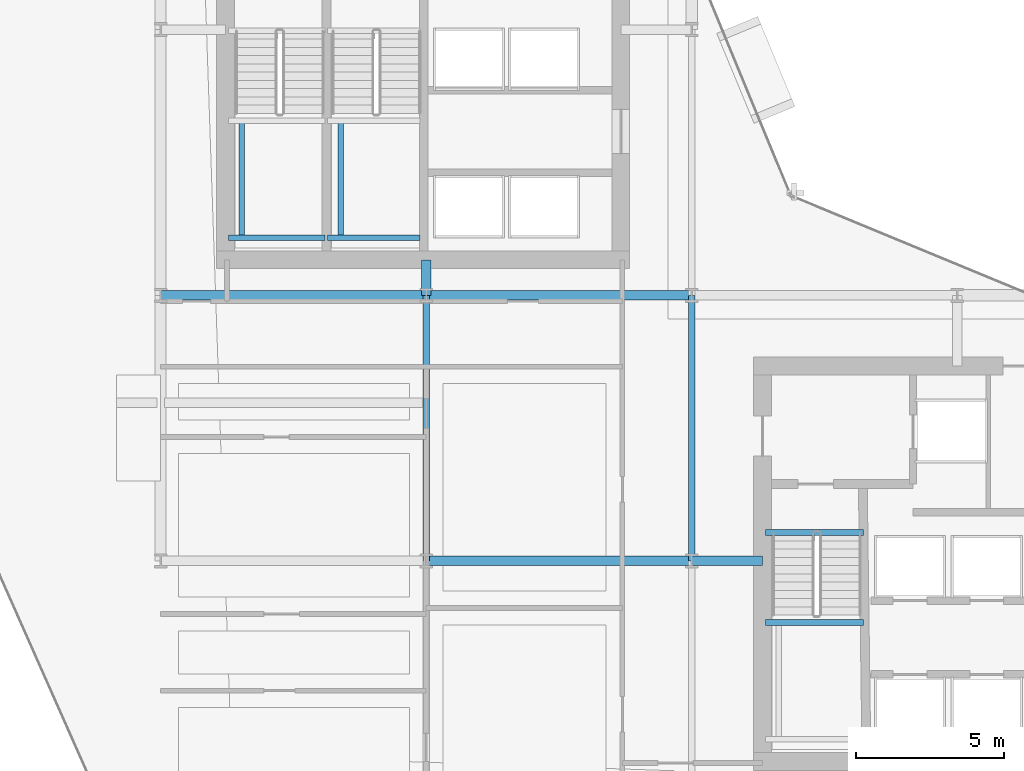
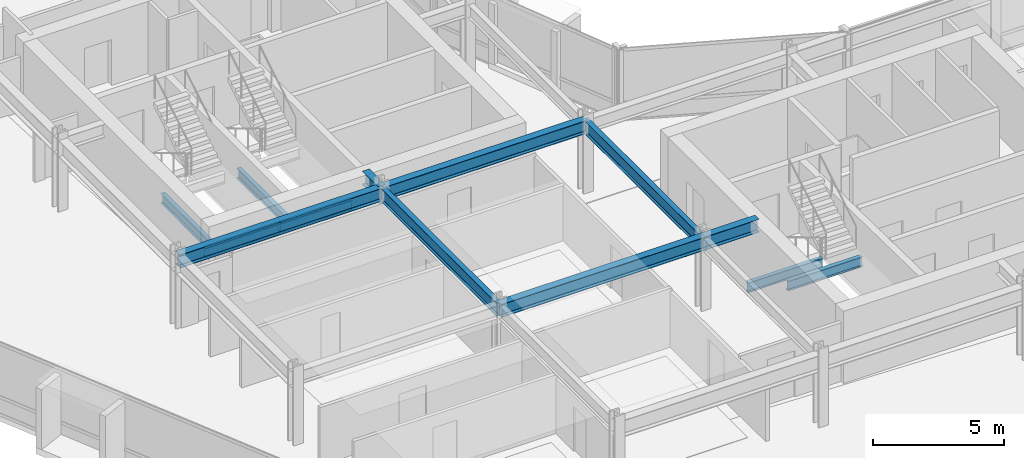
# One storey, part 7 of 34: 13 beams.
"""IFC4 building model written with IfcOpenShell, lengths in metres."""

import ifcopenshell
import ifcopenshell.guid

model = None  # the IFC model being written
_history = None  # IfcOwnerHistory: only IFC2X3 demands one
_inside = {}  # id of a spatial element -> (the spatial element, [elements in it])
_under = {}  # id of a project, library or spatial element -> (it, [spatial elements below it])
_declared = {}  # id of a project -> (the project, [libraries it declares])
_typed = {}  # id of a type object -> (the type object, [elements of that type])
_made_of = {}  # id of a material, layer set ... -> (it, [elements and type objects made of it])


def new_model(schema):
    """Start an empty IFC model of exactly this schema.

    Asked for "IFC4X3", IfcOpenShell would pick the latest addendum, in which some entities
    have other attributes; the version numbers below select the first issue.
    IFC2X3 requires an IfcOwnerHistory on every rooted entity: one is made here for all.
    """
    global model, _history
    if schema == "IFC4X3":
        model = ifcopenshell.file(schema_version=(4, 3, 0, 0))
    else:
        model = ifcopenshell.file(schema=schema)
    _inside.clear()
    _under.clear()
    _declared.clear()
    _typed.clear()
    _made_of.clear()
    _history = None
    if model.schema == "IFC2X3":
        org = make("IfcOrganization", Name="unknown")
        user = make(
            "IfcPersonAndOrganization",
            ThePerson=make("IfcPerson", FamilyName="unknown"),
            TheOrganization=org,
        )
        app = make(
            "IfcApplication",
            ApplicationDeveloper=org,
            Version="unknown",
            ApplicationFullName="unknown",
            ApplicationIdentifier="unknown",
        )
        _history = make(
            "IfcOwnerHistory",
            OwningUser=user,
            OwningApplication=app,
            ChangeAction="ADDED",
            CreationDate=0,
        )
    return model


def make(cls, **values):
    """One entity of the class cls with the attributes given. An attribute that is None is left unset."""
    return model.create_entity(
        cls, **{name: value for name, value in values.items() if value is not None}
    )


def rooted(cls, **values):
    """An entity with a GlobalId (a new one), such as an element, a storey or a relation."""
    return make(cls, GlobalId=ifcopenshell.guid.new(), OwnerHistory=_history, **values)


def si_unit(unit_type, name, prefix=None):
    """IfcSIUnit, for example si_unit("LENGTHUNIT", "METRE", prefix="MILLI")."""
    return make("IfcSIUnit", UnitType=unit_type, Prefix=prefix, Name=name)


def assignment(units):
    """IfcUnitAssignment: the units of a project."""
    return None if units is None else make("IfcUnitAssignment", Units=units)


def point(xyz):
    """IfcCartesianPoint."""
    return None if xyz is None else make("IfcCartesianPoint", Coordinates=xyz)


def direction(xyz):
    """IfcDirection."""
    return None if xyz is None else make("IfcDirection", DirectionRatios=xyz)


def frame(location, z_axis=None, x_axis=None):
    """IfcAxis2Placement3D, a coordinate frame: its origin and axes. An axis left out is left unset."""
    return make(
        "IfcAxis2Placement3D",
        Location=point(location),
        Axis=direction(z_axis),
        RefDirection=direction(x_axis),
    )


def frame_2d(location, x_axis=None):
    """IfcAxis2Placement2D, a coordinate frame in the plane: its origin and x axis."""
    return make(
        "IfcAxis2Placement2D", Location=point(location), RefDirection=direction(x_axis)
    )


def origin():
    """The frame at (0, 0, 0) with its axes left unset."""
    return frame((0.0, 0.0, 0.0))


def origin_2d():
    """The frame at (0, 0) in the plane with its x axis left unset."""
    return frame_2d((0.0, 0.0))


def place(relative_to, where):
    """IfcLocalPlacement: puts the frame where relative to a parent placement (None: the world)."""
    return make(
        "IfcLocalPlacement", PlacementRelTo=relative_to, RelativePlacement=where
    )


def context(
    kind, dimensions, precision=None, world=None, true_north=None, identifier=None
):
    """IfcGeometricRepresentationContext, for example the 3D "Model" context."""
    return make(
        "IfcGeometricRepresentationContext",
        ContextIdentifier=identifier,
        ContextType=kind,
        CoordinateSpaceDimension=dimensions,
        Precision=precision,
        WorldCoordinateSystem=world,
        TrueNorth=true_north,
    )


def subcontext(parent, identifier, kind, view, scale=None):
    """IfcGeometricRepresentationSubContext, for example "Body" below "Model"."""
    return make(
        "IfcGeometricRepresentationSubContext",
        ContextIdentifier=identifier,
        ContextType=kind,
        ParentContext=parent,
        TargetScale=scale,
        TargetView=view,
    )


def project(units=None, contexts=None):
    """IfcProject with its units and contexts."""
    return rooted(
        "IfcProject",
        Name="project",
        RepresentationContexts=contexts,
        UnitsInContext=assignment(units),
    )


def spatial(cls, under=None, at=None, **own):
    """A site, building, storey or space (cls), placed at a placement, below another one or the project."""
    s = rooted(cls, ObjectPlacement=at, **own)
    if under is not None:
        _under.setdefault(under.id(), (under, []))[1].append(s)
    return s


def profile(cls, at=None, kind="AREA", **sizes):
    """A parametric profile (cls). Its sizes go by their IFC names, for example OverallWidth=200.0."""
    return make(cls, ProfileType=kind, Position=at, **sizes)


def i_section(**sizes):
    """IfcIShapeProfileDef."""
    return profile("IfcIShapeProfileDef", **sizes)


def extrude(swept, where, along, depth):
    """IfcExtrudedAreaSolid: the profile swept, set in the frame where, extruded along a direction by depth."""
    return make(
        "IfcExtrudedAreaSolid",
        SweptArea=swept,
        Position=where,
        ExtrudedDirection=direction(along),
        Depth=depth,
    )


def shape(context_of_items, identifier, shape_type, items):
    """IfcShapeRepresentation: the items that make up one representation, for example the "Body"."""
    return make(
        "IfcShapeRepresentation",
        ContextOfItems=context_of_items,
        RepresentationIdentifier=identifier,
        RepresentationType=shape_type,
        Items=items,
    )


def material(Name=None, Category=None):
    """IfcMaterial."""
    return make("IfcMaterial", Name=Name, Category=Category)


def material_profile(
    of_material, cross_section, Name=None, Category=None, Priority=None
):
    """IfcMaterialProfile: a cross section and its material."""
    return make(
        "IfcMaterialProfile",
        Name=Name,
        Material=of_material,
        Profile=cross_section,
        Priority=Priority,
        Category=Category,
    )


def profile_set(profiles, Name=None, composite=None):
    """IfcMaterialProfileSet."""
    return make(
        "IfcMaterialProfileSet",
        Name=Name,
        MaterialProfiles=profiles,
        CompositeProfile=composite,
    )


def made_of(thing, what):
    """Note that an element or type object is made of a material, layer set ...; save() writes the relation."""
    if what is not None:
        _made_of.setdefault(what.id(), (what, []))[1].append(thing)
    return thing


def type_object(cls, material=None, **own):
    """A type object (cls), such as IfcWallType, which elements share."""
    return made_of(rooted(cls, **own), material)


def element(
    cls,
    number,
    at=None,
    inside=None,
    cuts=None,
    type_object=None,
    material=None,
    context=None,
    identifier="Body",
    shape_type=None,
    held_by="IfcProductDefinitionShape",
    body=None,
    shapes=None,
    **own,
):
    """One element of the class cls, such as IfcWall. Its Tag is "e" and its number.

    at: its placement. inside: the storey or other place that contains it. cuts: it is an
    opening in that element (IfcRelVoidsElement). A single representation is given by context,
    identifier, shape_type and body (its items); several are given by shapes. held_by: the class
    of the entity that holds the representations. save() writes the other relations.
    """
    e = rooted(cls, Tag="e%d" % number, ObjectPlacement=at, **own)
    if body is not None:
        shapes = [shape(context, identifier, shape_type, body)]
    if shapes is not None:
        e.Representation = make(held_by, Representations=shapes)
    if inside is not None:
        _inside.setdefault(inside.id(), (inside, []))[1].append(e)
    if cuts is not None:
        rooted(
            "IfcRelVoidsElement", RelatingBuildingElement=cuts, RelatedOpeningElement=e
        )
    if type_object is not None:
        _typed.setdefault(type_object.id(), (type_object, []))[1].append(e)
    return made_of(e, material)


def aggregate(whole, parts):
    """IfcRelAggregates: a whole, such as a stair, and the parts it consists of."""
    return rooted("IfcRelAggregates", RelatingObject=whole, RelatedObjects=parts)


def save(model, path):
    """Write the relations noted so far, then the file.

    IfcRelAggregates (storeys below a building ...), IfcRelContainedInSpatialStructure (elements
    in a storey), IfcRelDefinesByType, IfcRelAssociatesMaterial and IfcRelDeclares: one each for
    every whole, place, type object, material and project.
    """
    for whole, parts in _under.values():
        aggregate(whole, parts)
    for where, things in _inside.values():
        rooted(
            "IfcRelContainedInSpatialStructure",
            RelatedElements=things,
            RelatingStructure=where,
        )
    for kind, things in _typed.values():
        rooted("IfcRelDefinesByType", RelatedObjects=things, RelatingType=kind)
    for what, things in _made_of.values():
        rooted("IfcRelAssociatesMaterial", RelatedObjects=things, RelatingMaterial=what)
    for by, libraries in _declared.values():
        rooted("IfcRelDeclares", RelatingContext=by, RelatedDefinitions=libraries)
    model.write(path)


model = new_model("IFC4")

# Units and contexts
model_context = context("Model", 3, precision=1e-05, world=origin(), true_north=direction((0.0, 1.0)))
body_context = subcontext(model_context, "Body", "Model", "MODEL_VIEW")
ifc_project = project(units=[si_unit("LENGTHUNIT", "METRE"), si_unit("AREAUNIT", "SQUARE_METRE"), si_unit("VOLUMEUNIT", "CUBIC_METRE"), si_unit("PLANEANGLEUNIT", "RADIAN"), si_unit("MASSUNIT", "GRAM", prefix="KILO")], contexts=[model_context])

# Site, building, storey
site_placement = place(None, origin())
site = spatial("IfcSite", under=ifc_project, at=site_placement, CompositionType="ELEMENT")
building_placement = place(site_placement, origin())
building = spatial("IfcBuilding", under=site, at=building_placement, Name="Solvaryn Broadcast Tower", CompositionType="ELEMENT")
storey_placement = place(building_placement, frame((0.0, 0.0, 96.5)))
storey = spatial("IfcBuildingStorey", under=building, at=storey_placement, Name="L23", CompositionType="ELEMENT", Elevation=96.5)

# Beams
ifc_material_1 = material(Name="Steel ASTM A992 Grade 50", Category="steel")
ifc_material_profile_1 = material_profile(ifc_material_1, i_section(OverallWidth=0.323974609375, OverallDepth=0.611083984375, WebThickness=0.0126953125, FlangeThickness=0.01904296875, FilletRadius=0.014892578125, at=origin_2d()))
ifc_profile_set_1 = profile_set([ifc_material_profile_1], Name="Steel ASTM A992 Grade 50")
beam_type_1 = type_object("IfcBeamType", Name="BM-B1-W24X104", PredefinedType="BEAM", material=ifc_profile_set_1)
for number, where, z_axis, x_axis, name in (
    (1, (18.0, 18.0, 3.064453125), (1.0, 0.0, 0.0), (0.0, 1.0, 0.0), "L23 Primary Beam X (18-27 @ Y=18)"),
    (2, (9.0, 27.0, 3.064453125), (1.0, 0.0, 0.0), (0.0, 1.0, 0.0), "L23 Primary Beam X (9-18 @ Y=27)"),
    (3, (18.0, 27.0, 3.064453125), (1.0, 0.0, 0.0), (0.0, 1.0, 0.0), "L23 Primary Beam X (18-27 @ Y=27)"),
):
    element("IfcBeam", number, at=place(storey_placement, frame(where, z_axis=z_axis, x_axis=x_axis)), inside=storey, type_object=beam_type_1, Name=name, PredefinedType="BEAM", context=body_context, shape_type="SweptSolid", body=[
        extrude(i_section(OverallWidth=0.323974609375, OverallDepth=0.611083984375, WebThickness=0.0126953125, FlangeThickness=0.01904296875, FilletRadius=0.014892578125, at=origin_2d()), origin(), (0.0, 0.0, 1.0), 9.0),
    ])
beam_1_placement = place(storey_placement, frame((18.0, 27.0, 3.064453125), z_axis=(0.0, 1.0, 0.0), x_axis=(-1.0, 0.0, 0.0)))
element("IfcBeam", 4, at=beam_1_placement, inside=storey, type_object=beam_type_1, Name="L23 Core Tie Beam CTW4", PredefinedType="BEAM", context=body_context, shape_type="SweptSolid", body=[
    extrude(i_section(OverallWidth=0.323974609375, OverallDepth=0.611083984375, WebThickness=0.0126953125, FlangeThickness=0.01904296875, FilletRadius=0.014892578125, at=origin_2d()), origin(), (0.0, 0.0, 1.0), 1.199951171875),
])
beam_2_placement = place(storey_placement, frame((27.0, 18.0, 3.064453125), z_axis=(1.0, 0.0, 0.0), x_axis=(0.0, 1.0, 0.0)))
element("IfcBeam", 5, at=beam_2_placement, inside=storey, type_object=beam_type_1, Name="L23 Core Tie Beam CTE4", PredefinedType="BEAM", context=body_context, shape_type="SweptSolid", body=[
    extrude(i_section(OverallWidth=0.323974609375, OverallDepth=0.611083984375, WebThickness=0.0126953125, FlangeThickness=0.01904296875, FilletRadius=0.014892578125, at=origin_2d()), origin(), (0.0, 0.0, 1.0), 2.39990234375),
])
ifc_material_2 = material(Name="Steel ASTM A992 Grade 50", Category="steel")
ifc_material_profile_2 = material_profile(ifc_material_2, i_section(OverallWidth=0.22802734375, OverallDepth=0.60791015625, WebThickness=0.01123046875, FlangeThickness=0.017333984375, FilletRadius=0.014892578125, at=origin_2d()))
ifc_profile_set_2 = profile_set([ifc_material_profile_2], Name="Steel ASTM A992 Grade 50")
beam_type_2 = type_object("IfcBeamType", Name="BM-B2-W24X76", PredefinedType="BEAM", material=ifc_profile_set_2)
for number, where, z_axis, x_axis, name in (
    (6, (18.0, 18.0, 3.06591796875), (0.0, 1.0, 0.0), (-1.0, 0.0, 0.0), "L23 Primary Beam Y (18-27 @ X=18)"),
    (7, (27.0, 18.0, 3.06591796875), (0.0, 1.0, 0.0), (-1.0, 0.0, 0.0), "L23 Primary Beam Y (18-27 @ X=27)"),
):
    element("IfcBeam", number, at=place(storey_placement, frame(where, z_axis=z_axis, x_axis=x_axis)), inside=storey, type_object=beam_type_2, Name=name, PredefinedType="BEAM", context=body_context, shape_type="SweptSolid", body=[
        extrude(i_section(OverallWidth=0.22802734375, OverallDepth=0.60791015625, WebThickness=0.01123046875, FlangeThickness=0.017333984375, FilletRadius=0.014892578125, at=origin_2d()), origin(), (0.0, 0.0, 1.0), 9.0),
    ])
ifc_material_3 = material(Name="Steel ASTM A992 Grade 50", Category="steel")
ifc_material_profile_3 = material_profile(ifc_material_3, i_section(OverallWidth=0.18994140625, OverallDepth=0.45703125, WebThickness=0.009033203125, FlangeThickness=0.014404296875, FilletRadius=0.011962890625, at=origin_2d()))
ifc_profile_set_3 = profile_set([ifc_material_profile_3], Name="Steel ASTM A992 Grade 50")
beam_type_3 = type_object("IfcBeamType", Name="BM-B4-W18X50", PredefinedType="BEAM", material=ifc_profile_set_3)
beam_3_placement = place(storey_placement, frame((11.300048828125, 28.949951171875, 1.42138671875), z_axis=(1.0, 0.0, 0.0), x_axis=(0.0, 1.0, 0.0)))
element("IfcBeam", 8, at=beam_3_placement, inside=storey, type_object=beam_type_3, Name="L23 ST1 Landing Support Beam 1A", PredefinedType="BEAM", context=body_context, shape_type="SweptSolid", body=[
    extrude(i_section(OverallWidth=0.18994140625, OverallDepth=0.45703125, WebThickness=0.009033203125, FlangeThickness=0.014404296875, FilletRadius=0.011962890625, at=origin_2d()), origin(), (0.0, 0.0, 1.0), 3.280029296875),
])
beam_4_placement = place(storey_placement, frame((11.75, 28.949951171875, 1.42138671875), z_axis=(0.0, 1.0, 0.0), x_axis=(-1.0, 0.0, 0.0)))
element("IfcBeam", 9, at=beam_4_placement, inside=storey, type_object=beam_type_3, Name="L23 ST1 Landing Cross Stringer 1C", PredefinedType="BEAM", context=body_context, shape_type="SweptSolid", body=[
    extrude(i_section(OverallWidth=0.18994140625, OverallDepth=0.45703125, WebThickness=0.009033203125, FlangeThickness=0.014404296875, FilletRadius=0.011962890625, at=origin_2d()), origin(), (0.0, 0.0, 1.0), 3.9599609375),
])
beam_5_placement = place(storey_placement, frame((14.659912109375, 28.949951171875, 1.42138671875), z_axis=(1.0, 0.0, 0.0), x_axis=(0.0, 1.0, 0.0)))
element("IfcBeam", 10, at=beam_5_placement, inside=storey, type_object=beam_type_3, Name="L23 ST2 Landing Support Beam 1A", PredefinedType="BEAM", context=body_context, shape_type="SweptSolid", body=[
    extrude(i_section(OverallWidth=0.18994140625, OverallDepth=0.45703125, WebThickness=0.009033203125, FlangeThickness=0.014404296875, FilletRadius=0.011962890625, at=origin_2d()), origin(), (0.0, 0.0, 1.0), 3.14013671875),
])
beam_6_placement = place(storey_placement, frame((15.110107421875, 28.949951171875, 1.42138671875), z_axis=(0.0, 1.0, 0.0), x_axis=(-1.0, 0.0, 0.0)))
element("IfcBeam", 11, at=beam_6_placement, inside=storey, type_object=beam_type_3, Name="L23 ST2 Landing Cross Stringer 1C", PredefinedType="BEAM", context=body_context, shape_type="SweptSolid", body=[
    extrude(i_section(OverallWidth=0.18994140625, OverallDepth=0.45703125, WebThickness=0.009033203125, FlangeThickness=0.014404296875, FilletRadius=0.011962890625, at=origin_2d()), origin(), (0.0, 0.0, 1.0), 3.9599609375),
])
for number, where, z_axis, x_axis, name in (
    (12, (29.5, 18.9599609375, -0.508544921875), (1.0, 0.0, 0.0), (0.0, 1.0, 0.0), "L23 ST3 Stair Well Trimmer Beam"),
    (13, (29.5, 15.909912109375, 1.42138671875), (1.0, 0.0, 0.0), (0.0, 1.0, 0.0), "L23 ST3 Landing Support Beam 1B"),
):
    element("IfcBeam", number, at=place(storey_placement, frame(where, z_axis=z_axis, x_axis=x_axis)), inside=storey, type_object=beam_type_3, Name=name, PredefinedType="BEAM", context=body_context, shape_type="SweptSolid", body=[
        extrude(i_section(OverallWidth=0.18994140625, OverallDepth=0.45703125, WebThickness=0.009033203125, FlangeThickness=0.014404296875, FilletRadius=0.011962890625, at=origin_2d()), origin(), (0.0, 0.0, 1.0), 3.320068359375),
    ])

save(model, "model.ifc")
